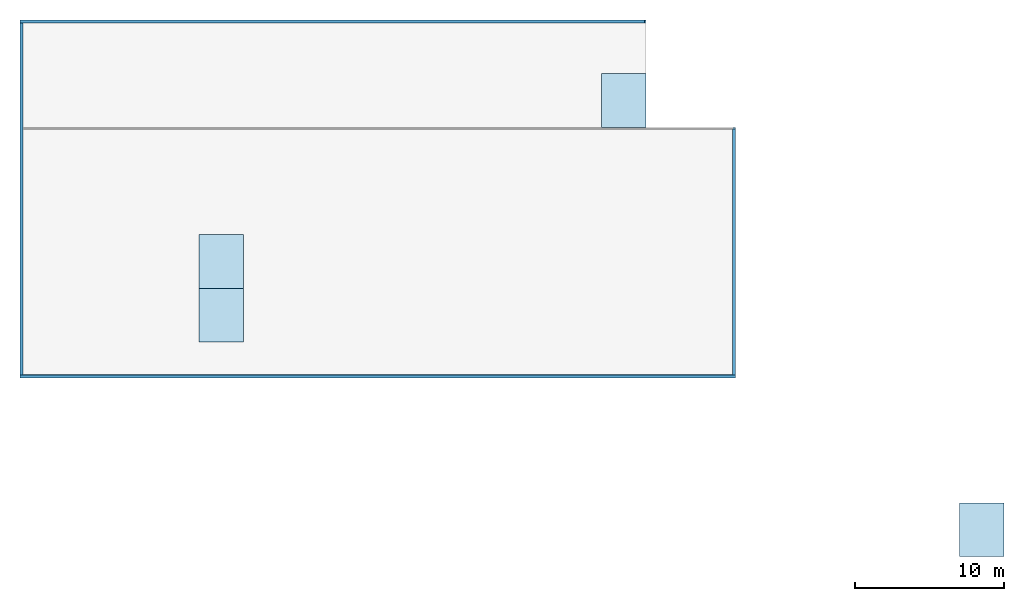
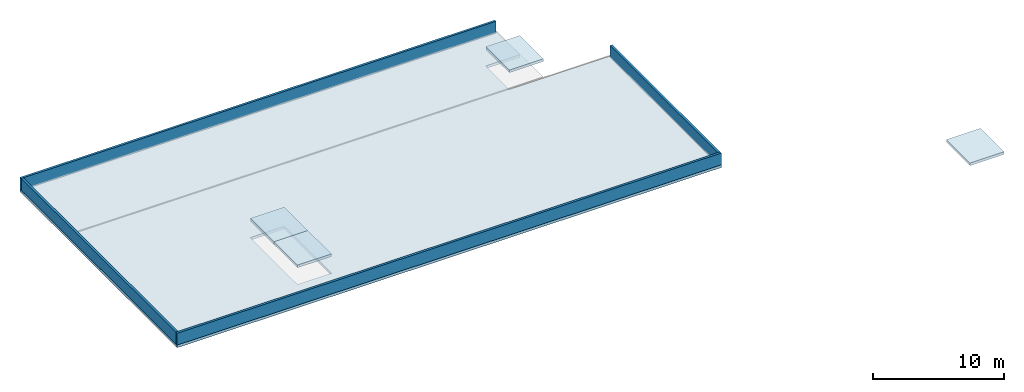
# One storey, part 1 of 2: 5 slabs, 4 walls.
"""IFC4 building model written with IfcOpenShell, lengths in metres."""

from ifc_helpers import new_model, si_unit, direction, frame, frame_2d, origin, place, context, subcontext, project, spatial, polyline, rectangle, outline, extrude, material, layer, layer_set, type_object, element, save


model = new_model("IFC4")

# Units and contexts
model_context = context("Model", 3, precision=1e-05, world=origin(), true_north=direction((0.0, 1.0)))
body_context = subcontext(model_context, "Body", "Model", "MODEL_VIEW")
ifc_project = project(units=[si_unit("LENGTHUNIT", "METRE"), si_unit("AREAUNIT", "SQUARE_METRE"), si_unit("VOLUMEUNIT", "CUBIC_METRE"), si_unit("PLANEANGLEUNIT", "RADIAN"), si_unit("MASSUNIT", "GRAM", prefix="KILO")], contexts=[model_context])

# Site, building, storey
site_placement = place(None, origin())
site = spatial("IfcSite", under=ifc_project, at=site_placement, CompositionType="ELEMENT")
building_placement = place(site_placement, origin())
building = spatial("IfcBuilding", under=site, at=building_placement, Name="Laocheng Heights Fire and Rescue Headquarters", CompositionType="ELEMENT")
storey_placement = place(building_placement, frame((0.0, 0.0, 25.199951171875)))
storey = spatial("IfcBuildingStorey", under=building, at=storey_placement, Name="ROOF", CompositionType="ELEMENT", Elevation=25.199951171875)

# Slabs
ifc_material_1 = material(Name="Concrete C40", Category="concrete")
ifc_layer_1 = layer(ifc_material_1, 0.25)
ifc_layer_set_1 = layer_set([ifc_layer_1], Name="Concrete C40")
slab_type_1 = type_object("IfcSlabType", Name="RC LIFT HOUSING ROOF SLAB 250", PredefinedType="ROOF", material=ifc_layer_set_1)
slab_1_placement = place(storey_placement, frame((0.0, 0.0, 1.949951171875)))
element("IfcSlab", 1, at=slab_1_placement, inside=storey, type_object=slab_type_1, Name="Lift overrun roof slab C-L1", PredefinedType="ROOF", context=body_context, shape_type="SweptSolid", body=[
    extrude(outline(polyline([(99.0, 36.0), (102.0, 36.0), (102.0, 39.60009765625), (99.0, 39.60009765625), (99.0, 36.0)])), origin(), (0.0, 0.0, 1.0), 0.25),
])
slab_2_placement = place(storey_placement, frame((0.0, 0.0, 1.550048828125)))
element("IfcSlab", 2, at=slab_2_placement, inside=storey, type_object=slab_type_1, Name="Lift overrun roof slab H-L1", PredefinedType="ROOF", context=body_context, shape_type="SweptSolid", body=[
    extrude(outline(polyline([(48.0, 54.0), (51.0, 54.0), (51.0, 57.60009765625), (48.0, 57.60009765625), (48.0, 54.0)])), origin(), (0.0, 0.0, 1.0), 0.25),
])
slab_3_placement = place(storey_placement, frame((0.0, 0.0, 1.550048828125)))
element("IfcSlab", 3, at=slab_3_placement, inside=storey, type_object=slab_type_1, Name="Lift overrun roof slab H-L3", PredefinedType="ROOF", context=body_context, shape_type="SweptSolid", body=[
    extrude(outline(polyline([(48.0, 50.39990234375), (51.0, 50.39990234375), (51.0, 54.0), (48.0, 54.0), (48.0, 50.39990234375)])), origin(), (0.0, 0.0, 1.0), 0.25),
])
slab_4_placement = place(storey_placement, frame((0.0, 0.0, 1.550048828125)))
element("IfcSlab", 4, at=slab_4_placement, inside=storey, type_object=slab_type_1, Name="Lift overrun roof slab H-L2", PredefinedType="ROOF", context=body_context, shape_type="SweptSolid", body=[
    extrude(outline(polyline([(75.0, 64.800048828125), (78.0, 64.800048828125), (78.0, 68.39990234375), (75.0, 68.39990234375), (75.0, 64.800048828125)])), origin(), (0.0, 0.0, 1.0), 0.25),
])
ifc_material_2 = material(Name="Concrete C40", Category="concrete")
ifc_layer_2 = layer(ifc_material_2, 0.25)
ifc_layer_set_2 = layer_set([ifc_layer_2], Name="Concrete C40")
slab_type_2 = type_object("IfcSlabType", Name="RC ROOF SLAB 250 HQ", PredefinedType="ROOF", material=ifc_layer_set_2)
slab_5_placement = place(storey_placement, frame((0.0, 0.0, -0.25)))
element("IfcSlab", 5, at=slab_5_placement, inside=storey, type_object=slab_type_2, Name="HQ roof and south eave", PredefinedType="ROOF", context=body_context, shape_type="SweptSolid", body=[
    extrude(outline(polyline([(36.0, 48.0), (84.0, 48.0), (84.0, 64.800048828125), (75.0, 64.800048828125), (75.0, 68.39990234375), (78.0, 68.39990234375), (78.0, 72.0), (36.0, 72.0), (36.0, 48.0)]), holes=[polyline([(51.0, 50.39990234375), (48.0, 50.39990234375), (48.0, 57.60009765625), (51.0, 57.60009765625), (51.0, 50.39990234375)])]), origin(), (0.0, 0.0, 1.0), 0.25),
])

# Walls
ifc_material_3 = material(Name="Concrete C40", Category="concrete")
ifc_layer_3 = layer(ifc_material_3, 0.199951171875)
ifc_layer_set_3 = layer_set([ifc_layer_3], Name="Concrete C40")
wall_type = type_object("IfcWallType", Name="RC PARAPET WALL 200 HQ", PredefinedType="PARAPET", material=ifc_layer_set_3)
wall_1_placement = place(storey_placement, frame((36.0, 48.10009765625, 0.0), z_axis=(0.0, 0.0, 1.0), x_axis=(1.0, 0.0, 0.0)))
element("IfcWall", 6, at=wall_1_placement, inside=storey, type_object=wall_type, Name="HQ parapet south", PredefinedType="PARAPET", context=body_context, shape_type="SweptSolid", body=[
    extrude(rectangle(XDim=48.0, YDim=0.199951171875, at=frame_2d((24.0, 0.0))), origin(), (0.0, 0.0, 1.0), 1.10009765625),
])
wall_2_placement = place(storey_placement, frame((36.0, 71.89990234375, 0.0), z_axis=(0.0, 0.0, 1.0), x_axis=(1.0, 0.0, 0.0)))
element("IfcWall", 7, at=wall_2_placement, inside=storey, type_object=wall_type, Name="HQ parapet north", PredefinedType="PARAPET", context=body_context, shape_type="SweptSolid", body=[
    extrude(rectangle(XDim=41.875, YDim=0.199951171875, at=frame_2d((20.9375, 0.0))), origin(), (0.0, 0.0, 1.0), 1.10009765625),
])
wall_3_placement = place(storey_placement, frame((36.10009765625, 48.199951171875, 0.0), z_axis=(0.0, 0.0, 1.0), x_axis=(0.0, 1.0, 0.0)))
element("IfcWall", 8, at=wall_3_placement, inside=storey, type_object=wall_type, Name="HQ parapet west", PredefinedType="PARAPET", context=body_context, shape_type="SweptSolid", body=[
    extrude(rectangle(XDim=23.60009765625, YDim=0.199951171875, at=frame_2d((11.800048828125, 0.0))), origin(), (0.0, 0.0, 1.0), 1.10009765625),
])
wall_4_placement = place(storey_placement, frame((83.89990234375, 48.199951171875, 0.0), z_axis=(0.0, 0.0, 1.0), x_axis=(0.0, 1.0, 0.0)))
element("IfcWall", 9, at=wall_4_placement, inside=storey, type_object=wall_type, Name="HQ parapet east", PredefinedType="PARAPET", context=body_context, shape_type="SweptSolid", body=[
    extrude(rectangle(XDim=16.47509765625, YDim=0.199951171875, at=frame_2d((8.237548828125, 0.0))), origin(), (0.0, 0.0, 1.0), 1.10009765625),
])

save(model, "model.ifc")
